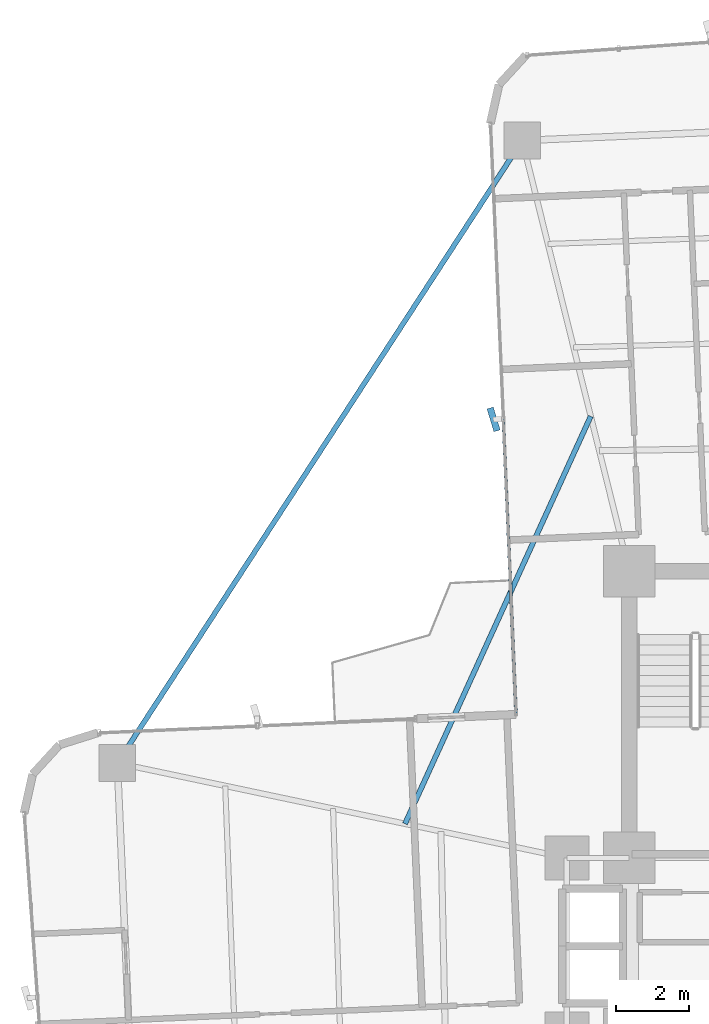
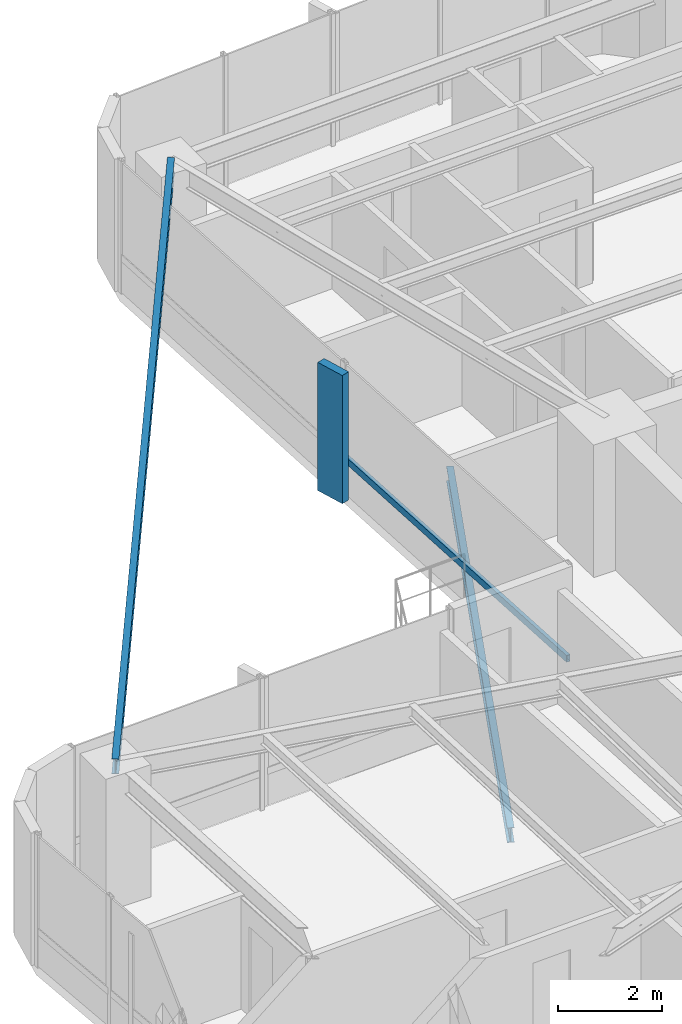
# One storey, part 16 of 26: 2 beams, 2 members, 1 element without a shape of its own.
"""IFC4 building model written with IfcOpenShell, lengths in metres."""

from ifc_helpers import new_model, si_unit, direction, frame, origin, origin_2d, place, context, subcontext, project, spatial, rectangle, hollow_rectangle, i_section, extrude, source, transform, mapped, material, material_profile, profile_set, type_object, element, aggregate, save


model = new_model("IFC4")

# Units and contexts
model_context = context("Model", 3, precision=1e-05, world=origin(), true_north=direction((0.0, 1.0)))
body_context = subcontext(model_context, "Body", "Model", "MODEL_VIEW")
ifc_project = project(units=[si_unit("LENGTHUNIT", "METRE"), si_unit("AREAUNIT", "SQUARE_METRE"), si_unit("VOLUMEUNIT", "CUBIC_METRE"), si_unit("PLANEANGLEUNIT", "RADIAN"), si_unit("MASSUNIT", "GRAM", prefix="KILO")], contexts=[model_context])

# Site, building, storey
site_placement = place(None, origin())
site = spatial("IfcSite", under=ifc_project, at=site_placement, CompositionType="ELEMENT")
building_placement = place(site_placement, origin())
building = spatial("IfcBuilding", under=site, at=building_placement, Name="Sahyath Konkavel Grand Hotel", CompositionType="ELEMENT")
storey_placement = place(building_placement, frame((0.0, 0.0, 114.800048828125)))
storey = spatial("IfcBuildingStorey", under=building, at=storey_placement, Name="L31", CompositionType="ELEMENT", Elevation=114.800048828125)

# Beam
ifc_material_1 = material(Name="Steel E350", Category="steel")
ifc_material_profile_1 = material_profile(ifc_material_1, i_section(OverallWidth=0.139892578125, OverallDepth=0.35009765625, WebThickness=0.008056640625, FlangeThickness=0.01416015625, FilletRadius=0.013916015625, at=origin_2d()), Name="ISMB 350")
ifc_profile_set_1 = profile_set([ifc_material_profile_1], Name="Steel E350")
beam_type_1 = type_object("IfcBeamType", Name="BM-ISMB350", PredefinedType="BEAM", material=ifc_profile_set_1)
shared_shape_1 = source(origin(), body_context, "Body", "SweptSolid", [
    extrude(i_section(OverallWidth=0.139892578125, OverallDepth=0.35009765625, WebThickness=0.008056640625, FlangeThickness=0.01416015625, FilletRadius=0.013916015625, at=origin_2d()), origin(), (0.0, 0.0, 1.0), 20.21533203125),
])
beam_1_placement = place(storey_placement, frame((-6.712890625, 21.927978515625, 2.93505859375), z_axis=(-0.545191244931, -0.838311700056, 0.0), x_axis=(0.838311700056, -0.545191244931, 0.0)))
element("IfcBeam", 1, at=beam_1_placement, inside=storey, type_object=beam_type_1, Name="L31 Re-Entrant Tie Beam NW", PredefinedType="BEAM", context=body_context, shape_type="MappedRepresentation", body=[
    mapped(shared_shape_1, transform((0.0, 0.0, 0.0), scale=1.0)),
])

# Curtain wall, members
ifc_material_2 = material(Name="Anodised Bronze Aluminium & Low-E Glazing", Category="aluminium")
curtain_wall_type = type_object("IfcCurtainWallType", Name="CW-ZONE2", PredefinedType="NOTDEFINED", material=ifc_material_2)
curtain_wall_placement = place(storey_placement, origin())
curtain_wall = element("IfcCurtainWall", 2, at=curtain_wall_placement, inside=storey, type_object=curtain_wall_type, Name="L31 Unitised Curtain Wall F15", PredefinedType="NOTDEFINED")
ifc_material_3 = material(Name="Warm Buff Sandstone Cladding on Concrete C50/60", Category="masonry")
ifc_material_profile_2 = material_profile(ifc_material_3, rectangle(XDim=0.179931640625, YDim=0.64990234375, at=origin_2d()), Name="FIN 180x650")
ifc_profile_set_2 = profile_set([ifc_material_profile_2], Name="Warm Buff Sandstone Cladding on Concrete C50/60")
member_type_1 = type_object("IfcMemberType", Name="FIN-SANDSTONE-650", PredefinedType="MULLION", material=ifc_profile_set_2)
shared_shape_2 = source(origin(), body_context, "Body", "SweptSolid", [
    extrude(rectangle(XDim=0.179931640625, YDim=0.64990234375, at=origin_2d()), origin(), (0.0, 0.0, 1.0), 3.010009765625),
])
member_1_placement = place(storey_placement, frame((-7.492431640625, 14.3369140625, 0.050048828125), z_axis=(0.0, 0.0, 1.0), x_axis=(0.957621645958, 0.288029136015, 0.0)))
member_1 = element("IfcMember", 3, at=member_1_placement, type_object=member_type_1, Name="L31 Sandstone Vertical Solar Fin FIN F15-1", PredefinedType="MULLION", context=body_context, shape_type="MappedRepresentation", body=[
    mapped(shared_shape_2, transform((0.0, 0.0, 0.0), scale=1.0)),
])
ifc_material_4 = material(Name="Anodised Bronze Aluminium", Category="aluminium")
ifc_material_profile_3 = material_profile(ifc_material_4, hollow_rectangle(XDim=0.080078125, YDim=0.159912109375, WallThickness=0.006103515625, at=origin_2d()), Name="RHS 160x80x6")
ifc_profile_set_3 = profile_set([ifc_material_profile_3], Name="Anodised Bronze Aluminium")
member_type_2 = type_object("IfcMemberType", Name="CW-TRN-160", PredefinedType="USERDEFINED", material=ifc_profile_set_3)
shared_shape_3 = source(origin(), body_context, "Body", "SweptSolid", [
    extrude(hollow_rectangle(XDim=0.080078125, YDim=0.159912109375, WallThickness=0.006103515625, at=origin_2d()), origin(), (0.0, 0.0, 1.0), 8.010009765625),
])
member_2_placement = place(storey_placement, frame((-7.232666015625, 14.34814453125, 0.849853515625), z_axis=(0.043615785896, -0.999048378819, 0.0), x_axis=(0.999048378819, 0.043615785896, 0.0)))
member_2 = element("IfcMember", 4, at=member_2_placement, type_object=member_type_2, Name="L31 Curtain Wall Transom F15-1-spandrel", ObjectType="TRANSOM", PredefinedType="USERDEFINED", context=body_context, shape_type="MappedRepresentation", body=[
    mapped(shared_shape_3, transform((0.0, 0.0, 0.0), scale=1.0)),
])
aggregate(curtain_wall, [member_1, member_2])

# Beam
ifc_material_profile_4 = material_profile(ifc_material_1, i_section(OverallWidth=0.139892578125, OverallDepth=0.35009765625, WebThickness=0.008056640625, FlangeThickness=0.01416015625, FilletRadius=0.013916015625, at=origin_2d()), Name="ISMB 350")
ifc_profile_set_4 = profile_set([ifc_material_profile_4], Name="Steel E350")
beam_type_2 = type_object("IfcBeamType", Name="BM-BALC-CANT", PredefinedType="BEAM", material=ifc_profile_set_4)
shared_shape_4 = source(origin(), body_context, "Body", "SweptSolid", [
    extrude(i_section(OverallWidth=0.139892578125, OverallDepth=0.35009765625, WebThickness=0.008056640625, FlangeThickness=0.01416015625, FilletRadius=0.013916015625, at=origin_2d()), origin(), (0.0, 0.0, 1.0), 12.190673828125),
])
beam_2_placement = place(storey_placement, frame((-4.8486328125, 14.422119140625, -0.4150390625), z_axis=(-0.414712580086, -0.909952458054, 0.0), x_axis=(0.909952458054, -0.414712580086, 0.0)))
element("IfcBeam", 5, at=beam_2_placement, inside=storey, type_object=beam_type_2, Name="L31 Balcony Cantilever Support Beam NW", PredefinedType="BEAM", context=body_context, shape_type="MappedRepresentation", body=[
    mapped(shared_shape_4, transform((0.0, 0.0, 0.0), scale=1.0)),
])

save(model, "model.ifc")
